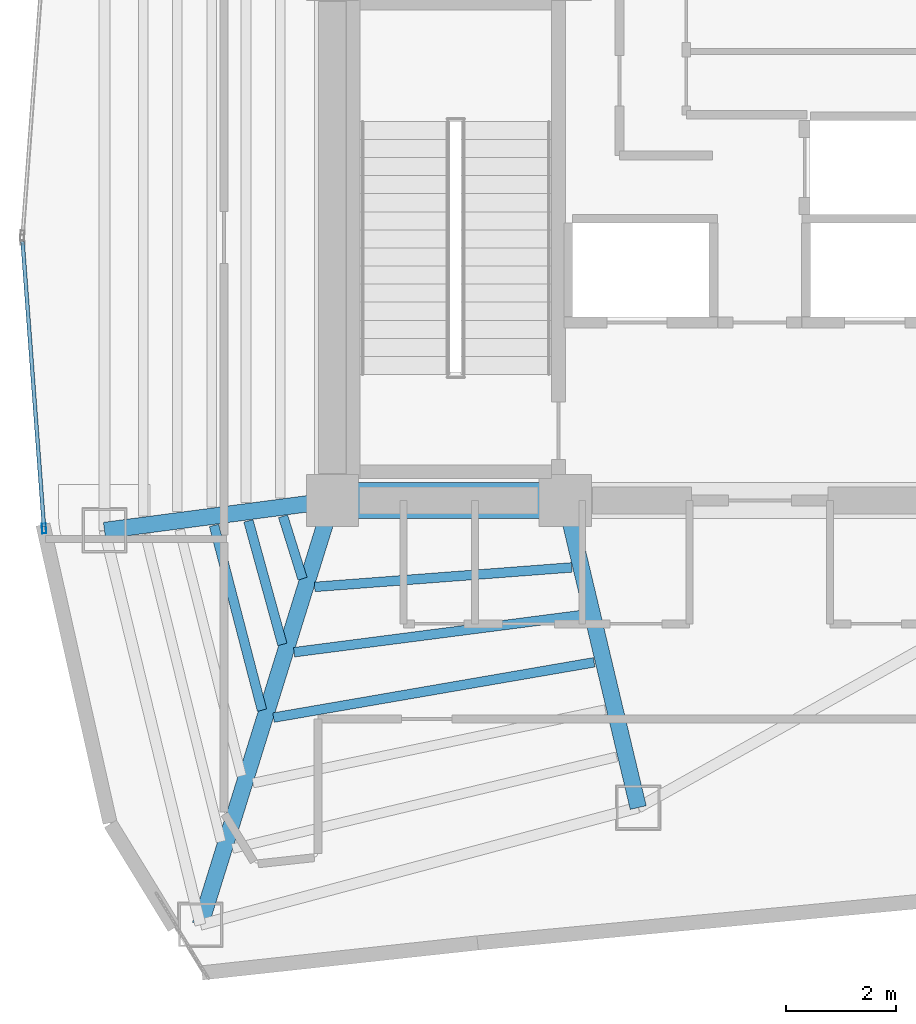
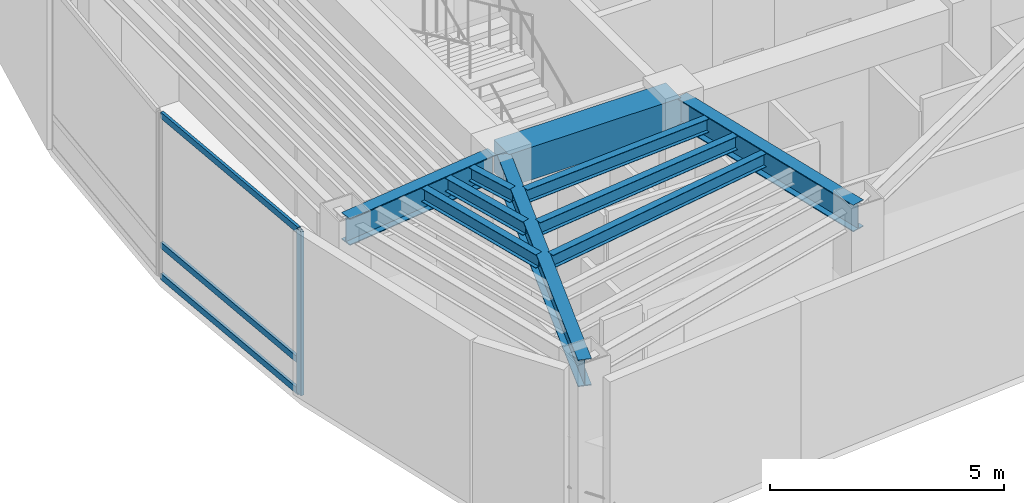
# One storey, part 2 of 17: 10 beams, 4 members, 1 element without a shape of its own.
"""IFC4 building model written with IfcOpenShell, lengths in metres."""

from ifc_helpers import new_model, si_unit, direction, frame, origin, origin_2d, place, context, subcontext, project, spatial, rectangle, hollow_rectangle, i_section, extrude, material, layer, layer_set, material_profile, profile_set, type_object, element, aggregate, save


model = new_model("IFC4")

# Units and contexts
model_context = context("Model", 3, precision=1e-05, world=origin(), true_north=direction((0.0, 1.0)))
body_context = subcontext(model_context, "Body", "Model", "MODEL_VIEW")
ifc_project = project(units=[si_unit("LENGTHUNIT", "METRE"), si_unit("AREAUNIT", "SQUARE_METRE"), si_unit("VOLUMEUNIT", "CUBIC_METRE"), si_unit("PLANEANGLEUNIT", "RADIAN"), si_unit("MASSUNIT", "GRAM", prefix="KILO")], contexts=[model_context])

# Site, building, storey
site_placement = place(None, origin())
site = spatial("IfcSite", under=ifc_project, at=site_placement, CompositionType="ELEMENT")
building_placement = place(site_placement, origin())
building = spatial("IfcBuilding", under=site, at=building_placement, Name="Menara Vayukalpa", CompositionType="ELEMENT")
storey_placement = place(building_placement, frame((0.0, 0.0, 242.639892578125)))
storey = spatial("IfcBuildingStorey", under=building, at=storey_placement, Name="L61", CompositionType="ELEMENT", Elevation=242.639892578125)

# Beams
ifc_material_1 = material(Name="Concrete C60/75", Category="concrete")
ifc_material_profile_1 = material_profile(ifc_material_1, rectangle(XDim=0.64990234375, YDim=0.85009765625, at=origin_2d()), Name="RC 650x850")
ifc_profile_set_1 = profile_set([ifc_material_profile_1], Name="Concrete C60/75")
beam_type_1 = type_object("IfcBeamType", Name="BM-CB1", PredefinedType="BEAM", material=ifc_profile_set_1)
beam_1_placement = place(storey_placement, frame((17.800048828125, 17.199951171875, 3.855224609375), z_axis=(1.0, 0.0, 0.0), x_axis=(0.0, 1.0, 0.0)))
element("IfcBeam", 1, at=beam_1_placement, inside=storey, type_object=beam_type_1, Name="L61 Core Tie Beam CBR1", PredefinedType="BEAM", context=body_context, shape_type="SweptSolid", body=[
    extrude(rectangle(XDim=0.64990234375, YDim=0.85009765625, at=origin_2d()), origin(), (0.0, 0.0, 1.0), 4.25),
])
ifc_material_2 = material(Name="Steel S355", Category="steel")
ifc_material_profile_2 = material_profile(ifc_material_2, i_section(OverallWidth=0.300048828125, OverallDepth=0.699951171875, WebThickness=0.012939453125, FlangeThickness=0.02392578125, at=origin_2d()), Name="WF 700x300x13x24")
ifc_profile_set_2 = profile_set([ifc_material_profile_2], Name="Steel S355")
beam_type_2 = type_object("IfcBeamType", Name="BM-PG5", PredefinedType="BEAM", material=ifc_profile_set_2)
beam_2_placement = place(storey_placement, frame((17.552001953125, 17.16748046875, 3.93017578125), z_axis=(-0.991477860763, -0.130275291662, 0.0), x_axis=(0.130275291662, -0.991477860763, 0.0)))
element("IfcBeam", 2, at=beam_2_placement, inside=storey, type_object=beam_type_2, Name="L61 Primary Radial Girder RG06", PredefinedType="BEAM", context=body_context, shape_type="SweptSolid", body=[
    extrude(i_section(OverallWidth=0.300048828125, OverallDepth=0.699951171875, WebThickness=0.012939453125, FlangeThickness=0.02392578125, at=origin_2d()), origin(), (0.0, 0.0, 1.0), 3.94677734375),
])
beam_3_placement = place(storey_placement, frame((17.7255859375, 16.961181640625, 3.93017578125), z_axis=(-0.297213792842, -0.954810955815, 0.0), x_axis=(0.954810955815, -0.297213792842, 0.0)))
element("IfcBeam", 3, at=beam_3_placement, inside=storey, type_object=beam_type_2, Name="L61 Primary Radial Girder RG07", PredefinedType="BEAM", context=body_context, shape_type="SweptSolid", body=[
    extrude(i_section(OverallWidth=0.300048828125, OverallDepth=0.699951171875, WebThickness=0.012939453125, FlangeThickness=0.02392578125, at=origin_2d()), origin(), (0.0, 0.0, 1.0), 7.861083984375),
])
beam_4_placement = place(storey_placement, frame((22.10791015625, 16.956787109375, 3.93017578125), z_axis=(0.231167310854, -0.972914011818, 0.0), x_axis=(0.972914011818, 0.231167310854, 0.0)))
element("IfcBeam", 4, at=beam_4_placement, inside=storey, type_object=beam_type_2, Name="L61 Primary Radial Girder RG08", PredefinedType="BEAM", context=body_context, shape_type="SweptSolid", body=[
    extrude(i_section(OverallWidth=0.300048828125, OverallDepth=0.699951171875, WebThickness=0.012939453125, FlangeThickness=0.02392578125, at=origin_2d()), origin(), (0.0, 0.0, 1.0), 5.5107421875),
])
ifc_material_3 = material(Name="Steel S355", Category="steel")
ifc_material_profile_3 = material_profile(ifc_material_3, i_section(OverallWidth=0.175048828125, OverallDepth=0.35009765625, WebThickness=0.007080078125, FlangeThickness=0.010986328125, at=origin_2d()), Name="WF 350x175x7x11")
ifc_profile_set_3 = profile_set([ifc_material_profile_3], Name="Steel S355")
beam_type_3 = type_object("IfcBeamType", Name="BM-SJ3", PredefinedType="JOIST", material=ifc_profile_set_3)
beam_5_placement = place(storey_placement, frame((16.8984375, 16.91259765625, 4.105224609375), z_axis=(0.298018933644, -0.954559958929, 0.0), x_axis=(0.954559958929, 0.298018933644, 0.0)))
element("IfcBeam", 5, at=beam_5_placement, inside=storey, type_object=beam_type_3, Name="L61 Secondary Floor Joist SJ06-1", PredefinedType="JOIST", context=body_context, shape_type="SweptSolid", body=[
    extrude(i_section(OverallWidth=0.175048828125, OverallDepth=0.35009765625, WebThickness=0.007080078125, FlangeThickness=0.010986328125, at=origin_2d()), origin(), (0.0, 0.0, 1.0), 1.1943359375),
])
beam_6_placement = place(storey_placement, frame((16.2666015625, 16.82861328125, 4.105224609375), z_axis=(0.264918721837, -0.9642707456, 0.0), x_axis=(0.9642707456, 0.264918721837, 0.0)))
element("IfcBeam", 6, at=beam_6_placement, inside=storey, type_object=beam_type_3, Name="L61 Secondary Floor Joist SJ06-2", PredefinedType="JOIST", context=body_context, shape_type="SweptSolid", body=[
    extrude(i_section(OverallWidth=0.175048828125, OverallDepth=0.35009765625, WebThickness=0.007080078125, FlangeThickness=0.010986328125, at=origin_2d()), origin(), (0.0, 0.0, 1.0), 2.3388671875),
])
beam_7_placement = place(storey_placement, frame((15.63818359375, 16.745849609375, 4.105224609375), z_axis=(0.251492114719, -0.96785934734, 0.0), x_axis=(0.96785934734, 0.251492114719, 0.0)))
element("IfcBeam", 7, at=beam_7_placement, inside=storey, type_object=beam_type_3, Name="L61 Secondary Floor Joist SJ06-3", PredefinedType="JOIST", context=body_context, shape_type="SweptSolid", body=[
    extrude(i_section(OverallWidth=0.175048828125, OverallDepth=0.35009765625, WebThickness=0.007080078125, FlangeThickness=0.010986328125, at=origin_2d()), origin(), (0.0, 0.0, 1.0), 3.485107421875),
])
beam_8_placement = place(storey_placement, frame((17.474609375, 15.623046875, 4.105224609375), z_axis=(0.997135697669, 0.075633328852, 0.0), x_axis=(-0.075633328852, 0.997135697669, 0.0)))
element("IfcBeam", 8, at=beam_8_placement, inside=storey, type_object=beam_type_3, Name="L61 Secondary Floor Joist SJ07-1", PredefinedType="JOIST", context=body_context, shape_type="SweptSolid", body=[
    extrude(i_section(OverallWidth=0.175048828125, OverallDepth=0.35009765625, WebThickness=0.007080078125, FlangeThickness=0.010986328125, at=origin_2d()), origin(), (0.0, 0.0, 1.0), 4.706298828125),
])
beam_9_placement = place(storey_placement, frame((17.099853515625, 14.43115234375, 4.105224609375), z_axis=(0.991763759233, 0.128080622546, 0.0), x_axis=(-0.128080622546, 0.991763759233, 0.0)))
element("IfcBeam", 9, at=beam_9_placement, inside=storey, type_object=beam_type_3, Name="L61 Secondary Floor Joist SJ07-2", PredefinedType="JOIST", context=body_context, shape_type="SweptSolid", body=[
    extrude(i_section(OverallWidth=0.175048828125, OverallDepth=0.35009765625, WebThickness=0.007080078125, FlangeThickness=0.010986328125, at=origin_2d()), origin(), (0.0, 0.0, 1.0), 5.316162109375),
])
beam_10_placement = place(storey_placement, frame((16.724853515625, 13.2373046875, 4.105224609375), z_axis=(0.985440172071, 0.170022549294, 0.0), x_axis=(-0.170022549294, 0.985440172071, 0.0)))
element("IfcBeam", 10, at=beam_10_placement, inside=storey, type_object=beam_type_3, Name="L61 Secondary Floor Joist SJ07-3", PredefinedType="JOIST", context=body_context, shape_type="SweptSolid", body=[
    extrude(i_section(OverallWidth=0.175048828125, OverallDepth=0.35009765625, WebThickness=0.007080078125, FlangeThickness=0.010986328125, at=origin_2d()), origin(), (0.0, 0.0, 1.0), 5.93896484375),
])

# Curtain wall, members
ifc_material_4 = material(Name="Anodised Terracotta Aluminium Alloy 6063-T6", Category="masonry")
ifc_layer = layer(ifc_material_4, 0.179931640625)
ifc_layer_set = layer_set([ifc_layer], Name="Anodised Terracotta Aluminium Alloy 6063-T6")
curtain_wall_type = type_object("IfcCurtainWallType", Name="CW-CW4", PredefinedType="USERDEFINED", material=ifc_layer_set)
curtain_wall_placement = place(storey_placement, origin())
curtain_wall = element("IfcCurtainWall", 11, at=curtain_wall_placement, inside=storey, type_object=curtain_wall_type, Name="L61 Sky Bar Cantilever Glazed Curtain Wall CW4 11", ObjectType="UNITISED", PredefinedType="USERDEFINED")
ifc_material_5 = material(Name="Anodised Terracotta Aluminium Alloy 6063-T6", Category="masonry")
ifc_material_profile_4 = material_profile(ifc_material_5, hollow_rectangle(XDim=0.074951171875, YDim=0.179931640625, WallThickness=0.00390625, at=origin_2d()), Name="ALU 75x180x4")
ifc_profile_set_4 = profile_set([ifc_material_profile_4], Name="Anodised Terracotta Aluminium Alloy 6063-T6")
member_type_1 = type_object("IfcMemberType", Name="CWM-CW4", PredefinedType="MULLION", material=ifc_profile_set_4)
member_1_placement = place(storey_placement, frame((12.5361328125, 16.690673828125, 0.0), z_axis=(0.0, 0.0, 1.0), x_axis=(0.997199344663, 0.074789484574, 0.0)))
member_1 = element("IfcMember", 12, at=member_1_placement, type_object=member_type_1, Name="CW4 mullion 2", PredefinedType="MULLION", context=body_context, shape_type="SweptSolid", body=[
    extrude(hollow_rectangle(XDim=0.074951171875, YDim=0.179931640625, WallThickness=0.00390625, at=origin_2d()), origin(), (0.0, 0.0, 1.0), 4.280029296875),
])
ifc_material_6 = material(Name="Anodised Terracotta Aluminium Alloy 6063-T6", Category="masonry")
ifc_material_profile_5 = material_profile(ifc_material_6, hollow_rectangle(XDim=0.070068359375, YDim=0.1650390625, WallThickness=0.00390625, at=origin_2d()), Name="ALU 70x165x4")
ifc_profile_set_5 = profile_set([ifc_material_profile_5], Name="Anodised Terracotta Aluminium Alloy 6063-T6")
member_type_2 = type_object("IfcMemberType", Name="CWT-CW4", PredefinedType="USERDEFINED", material=ifc_profile_set_5)
member_2_placement = place(storey_placement, frame((12.1435546875, 21.92529296875, 0.03515625), z_axis=(0.074808580699, -0.997197912279, 0.0), x_axis=(0.997197912279, 0.074808580699, 0.0)))
member_2 = element("IfcMember", 13, at=member_2_placement, type_object=member_type_2, Name="CW4 transom 1.1", ObjectType="TRANSOM", PredefinedType="USERDEFINED", context=body_context, shape_type="SweptSolid", body=[
    extrude(hollow_rectangle(XDim=0.070068359375, YDim=0.1650390625, WallThickness=0.00390625, at=origin_2d()), origin(), (0.0, 0.0, 1.0), 5.2119140625),
])
member_3_placement = place(storey_placement, frame((12.1435546875, 21.92529296875, 0.85009765625), z_axis=(0.074808580699, -0.997197912279, 0.0), x_axis=(0.997197912279, 0.074808580699, 0.0)))
member_3 = element("IfcMember", 14, at=member_3_placement, type_object=member_type_2, Name="CW4 transom 1.2", ObjectType="TRANSOM", PredefinedType="USERDEFINED", context=body_context, shape_type="SweptSolid", body=[
    extrude(hollow_rectangle(XDim=0.070068359375, YDim=0.1650390625, WallThickness=0.00390625, at=origin_2d()), origin(), (0.0, 0.0, 1.0), 5.2119140625),
])
member_4_placement = place(storey_placement, frame((12.1435546875, 21.92529296875, 4.2451171875), z_axis=(0.074808580699, -0.997197912279, 0.0), x_axis=(0.997197912279, 0.074808580699, 0.0)))
member_4 = element("IfcMember", 15, at=member_4_placement, type_object=member_type_2, Name="CW4 transom 1.3", ObjectType="TRANSOM", PredefinedType="USERDEFINED", context=body_context, shape_type="SweptSolid", body=[
    extrude(hollow_rectangle(XDim=0.070068359375, YDim=0.1650390625, WallThickness=0.00390625, at=origin_2d()), origin(), (0.0, 0.0, 1.0), 5.2119140625),
])
aggregate(curtain_wall, [member_1, member_2, member_3, member_4])

save(model, "model.ifc")
